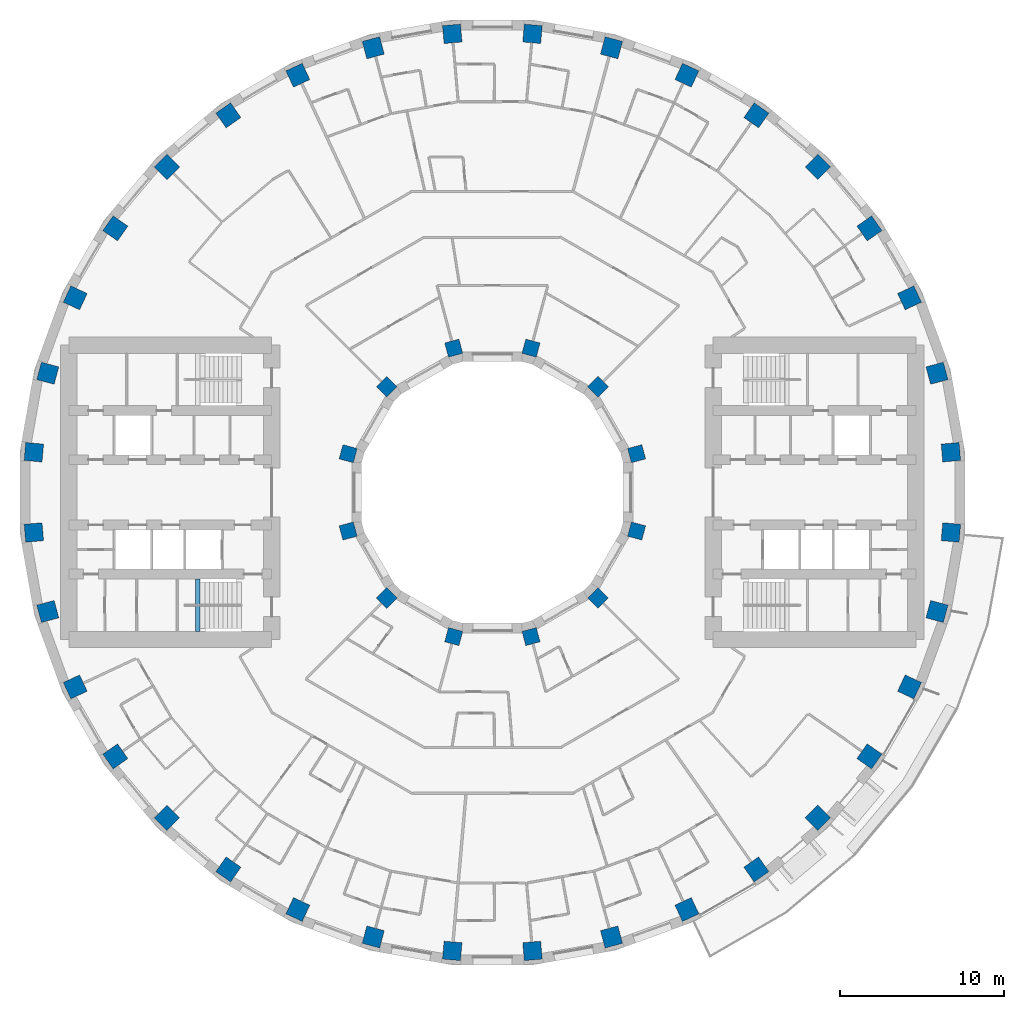
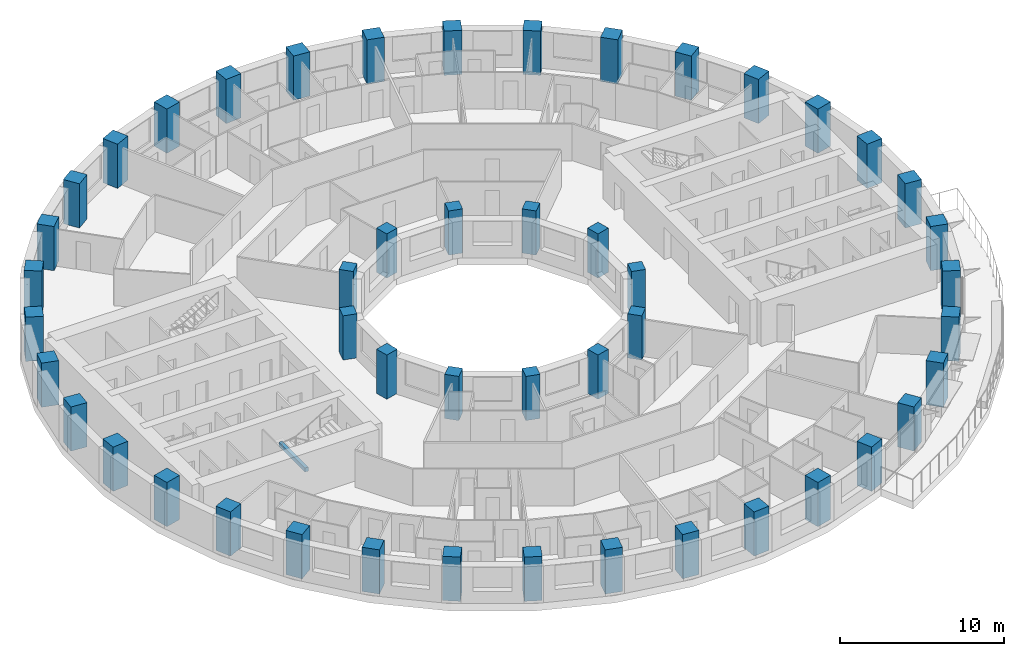
# One storey, part 1 of 15: 48 columns, 1 beam.
"""IFC4 building model written with IfcOpenShell, lengths in metres."""

from ifc_helpers import new_model, si_unit, direction, frame, origin, origin_2d, place, context, subcontext, project, spatial, rectangle, extrude, material, material_profile, profile_set, type_object, element, save


model = new_model("IFC4")

# Units and contexts
model_context = context("Model", 3, precision=1e-05, world=origin(), true_north=direction((0.0, 1.0)))
body_context = subcontext(model_context, "Body", "Model", "MODEL_VIEW")
ifc_project = project(units=[si_unit("LENGTHUNIT", "METRE"), si_unit("AREAUNIT", "SQUARE_METRE"), si_unit("VOLUMEUNIT", "CUBIC_METRE"), si_unit("PLANEANGLEUNIT", "RADIAN"), si_unit("MASSUNIT", "GRAM", prefix="KILO")], contexts=[model_context])

# Site, building, storey
site_placement = place(None, origin())
site = spatial("IfcSite", under=ifc_project, at=site_placement, CompositionType="ELEMENT")
building_placement = place(site_placement, origin())
building = spatial("IfcBuilding", under=site, at=building_placement, Name="Saqina Gate Tower", CompositionType="ELEMENT")
storey_placement = place(building_placement, frame((0.0, 0.0, 36.199951171875)))
storey = spatial("IfcBuildingStorey", under=building, at=storey_placement, Name="L09", CompositionType="ELEMENT", Elevation=36.199951171875)

# Columns
ifc_material_1 = material(Name="Concrete C70/85", Category="concrete")
ifc_material_profile_1 = material_profile(ifc_material_1, rectangle(XDim=0.89990234375, YDim=0.89990234375, at=origin_2d()), Name="RC 900x900")
ifc_profile_set_1 = profile_set([ifc_material_profile_1], Name="Concrete C70/85")
column_type_1 = type_object("IfcColumnType", Name="STR-COL-IN-A", PredefinedType="COLUMN", material=ifc_profile_set_1)
for number, where, z_axis, x_axis, name in (
    (1, (8.821044921875, 2.363525390625, 0.0), (0.0, 0.0, 1.0), (0.965925826289, 0.258819045103, 0.0), "L09-ICL01"),
    (2, (6.45751953125, 6.45751953125, 0.0), (0.0, 0.0, 1.0), (0.707106781187, 0.707106781187, 0.0), "L09-ICL02"),
    (3, (2.363525390625, 8.821044921875, 0.0), (0.0, 0.0, 1.0), (0.258819045103, 0.965925826289, 0.0), "L09-ICL03"),
    (4, (-2.363525390625, 8.821044921875, 0.0), (0.0, 0.0, 1.0), (-0.258819045103, 0.965925826289, 0.0), "L09-ICL04"),
    (5, (-6.45751953125, 6.45751953125, 0.0), (0.0, 0.0, 1.0), (-0.707106781187, 0.707106781187, 0.0), "L09-ICL05"),
    (6, (-8.821044921875, 2.363525390625, 0.0), (0.0, 0.0, 1.0), (-0.965925826289, 0.258819045103, 0.0), "L09-ICL06"),
    (7, (-8.821044921875, -2.363525390625, 0.0), (0.0, 0.0, 1.0), (-0.965925826289, -0.258819045103, 0.0), "L09-ICL07"),
    (8, (-6.45751953125, -6.45751953125, 0.0), (0.0, 0.0, 1.0), (-0.707106781187, -0.707106781187, 0.0), "L09-ICL08"),
    (9, (-2.363525390625, -8.821044921875, 0.0), (0.0, 0.0, 1.0), (-0.258819045103, -0.965925826289, 0.0), "L09-ICL09"),
    (10, (2.363525390625, -8.821044921875, 0.0), (0.0, 0.0, 1.0), (0.258819045103, -0.965925826289, 0.0), "L09-ICL10"),
    (11, (6.45751953125, -6.45751953125, 0.0), (0.0, 0.0, 1.0), (0.707106781187, -0.707106781187, 0.0), "L09-ICL11"),
    (12, (8.821044921875, -2.363525390625, 0.0), (0.0, 0.0, 1.0), (0.965925826289, -0.258819045103, 0.0), "L09-ICL12"),
):
    element("IfcColumn", number, at=place(storey_placement, frame(where, z_axis=z_axis, x_axis=x_axis)), inside=storey, type_object=column_type_1, Name=name, PredefinedType="COLUMN", context=body_context, shape_type="SweptSolid", body=[
        extrude(rectangle(XDim=0.89990234375, YDim=0.89990234375, at=origin_2d()), origin(), (0.0, 0.0, 1.0), 3.300048828125),
    ])
ifc_material_2 = material(Name="Concrete C70/85", Category="concrete")
ifc_material_profile_2 = material_profile(ifc_material_2, rectangle(XDim=1.10009765625, YDim=1.10009765625, at=origin_2d()), Name="RC 1100x1100")
ifc_profile_set_2 = profile_set([ifc_material_profile_2], Name="Concrete C70/85")
column_type_2 = type_object("IfcColumnType", Name="STR-COL-OUT-A", PredefinedType="COLUMN", material=ifc_profile_set_2)
for number, where, z_axis, x_axis, name in (
    (13, (28.04296875, 2.453369140625, 0.0), (0.0, 0.0, 1.0), (0.996194698092, 0.087155742748, 0.0), "L09-COL01"),
    (14, (27.19091796875, 7.28564453125, 0.0), (0.0, 0.0, 1.0), (0.965925826289, 0.258819045103, 0.0), "L09-COL02"),
    (15, (25.512451171875, 11.896728515625, 0.0), (0.0, 0.0, 1.0), (0.906307787037, 0.422618261741, 0.0), "L09-COL03"),
    (16, (23.05908203125, 16.146240234375, 0.0), (0.0, 0.0, 1.0), (0.819152044289, 0.573576436351, 0.0), "L09-COL04"),
    (17, (19.905029296875, 19.905029296875, 0.0), (0.0, 0.0, 1.0), (0.707106781187, 0.707106781187, 0.0), "L09-COL05"),
    (18, (16.146240234375, 23.05908203125, 0.0), (0.0, 0.0, 1.0), (0.573576436351, 0.819152044289, 0.0), "L09-COL06"),
    (19, (11.896728515625, 25.512451171875, 0.0), (0.0, 0.0, 1.0), (0.422618261741, 0.906307787037, 0.0), "L09-COL07"),
    (20, (7.28564453125, 27.19091796875, 0.0), (0.0, 0.0, 1.0), (0.258819045103, 0.965925826289, 0.0), "L09-COL08"),
    (21, (2.453369140625, 28.04296875, 0.0), (0.0, 0.0, 1.0), (0.087155742748, 0.996194698092, 0.0), "L09-COL09"),
    (22, (-2.453369140625, 28.04296875, 0.0), (0.0, 0.0, 1.0), (-0.087155742748, 0.996194698092, 0.0), "L09-COL10"),
    (23, (-7.28564453125, 27.19091796875, 0.0), (0.0, 0.0, 1.0), (-0.258819045103, 0.965925826289, 0.0), "L09-COL11"),
    (24, (-11.896728515625, 25.512451171875, 0.0), (0.0, 0.0, 1.0), (-0.422618261741, 0.906307787037, 0.0), "L09-COL12"),
    (25, (-16.146240234375, 23.05908203125, 0.0), (0.0, 0.0, 1.0), (-0.573576436351, 0.819152044289, 0.0), "L09-COL13"),
    (26, (-19.905029296875, 19.905029296875, 0.0), (0.0, 0.0, 1.0), (-0.707106781187, 0.707106781187, 0.0), "L09-COL14"),
    (27, (-23.05908203125, 16.146240234375, 0.0), (0.0, 0.0, 1.0), (-0.819152044289, 0.573576436351, 0.0), "L09-COL15"),
    (28, (-25.512451171875, 11.896728515625, 0.0), (0.0, 0.0, 1.0), (-0.906307787037, 0.422618261741, 0.0), "L09-COL16"),
    (29, (-27.19091796875, 7.28564453125, 0.0), (0.0, 0.0, 1.0), (-0.965925826289, 0.258819045103, 0.0), "L09-COL17"),
    (30, (-28.04296875, 2.453369140625, 0.0), (0.0, 0.0, 1.0), (-0.996194698092, 0.087155742748, 0.0), "L09-COL18"),
    (31, (-28.04296875, -2.453369140625, 0.0), (0.0, 0.0, 1.0), (-0.996194698092, -0.087155742748, 0.0), "L09-COL19"),
    (32, (-27.19091796875, -7.28564453125, 0.0), (0.0, 0.0, 1.0), (-0.965925826289, -0.258819045103, 0.0), "L09-COL20"),
    (33, (-25.512451171875, -11.896728515625, 0.0), (0.0, 0.0, 1.0), (-0.906307787037, -0.422618261741, 0.0), "L09-COL21"),
    (34, (-23.05908203125, -16.146240234375, 0.0), (0.0, 0.0, 1.0), (-0.819152044289, -0.573576436351, 0.0), "L09-COL22"),
    (35, (-19.905029296875, -19.905029296875, 0.0), (0.0, 0.0, 1.0), (-0.707106781187, -0.707106781187, 0.0), "L09-COL23"),
    (36, (-16.146240234375, -23.05908203125, 0.0), (0.0, 0.0, 1.0), (-0.573576436351, -0.819152044289, 0.0), "L09-COL24"),
    (37, (-11.896728515625, -25.512451171875, 0.0), (0.0, 0.0, 1.0), (-0.422618261741, -0.906307787037, 0.0), "L09-COL25"),
    (38, (-7.28564453125, -27.19091796875, 0.0), (0.0, 0.0, 1.0), (-0.258819045103, -0.965925826289, 0.0), "L09-COL26"),
    (39, (-2.453369140625, -28.04296875, 0.0), (0.0, 0.0, 1.0), (-0.087155742748, -0.996194698092, 0.0), "L09-COL27"),
    (40, (2.453369140625, -28.04296875, 0.0), (0.0, 0.0, 1.0), (0.087155742748, -0.996194698092, 0.0), "L09-COL28"),
    (41, (7.28564453125, -27.19091796875, 0.0), (0.0, 0.0, 1.0), (0.258819045103, -0.965925826289, 0.0), "L09-COL29"),
    (42, (11.896728515625, -25.512451171875, 0.0), (0.0, 0.0, 1.0), (0.422618261741, -0.906307787037, 0.0), "L09-COL30"),
    (43, (16.146240234375, -23.05908203125, 0.0), (0.0, 0.0, 1.0), (0.573576436351, -0.819152044289, 0.0), "L09-COL31"),
    (44, (19.905029296875, -19.905029296875, 0.0), (0.0, 0.0, 1.0), (0.707106781187, -0.707106781187, 0.0), "L09-COL32"),
    (45, (23.05908203125, -16.146240234375, 0.0), (0.0, 0.0, 1.0), (0.819152044289, -0.573576436351, 0.0), "L09-COL33"),
    (46, (25.512451171875, -11.896728515625, 0.0), (0.0, 0.0, 1.0), (0.906307787037, -0.422618261741, 0.0), "L09-COL34"),
    (47, (27.19091796875, -7.28564453125, 0.0), (0.0, 0.0, 1.0), (0.965925826289, -0.258819045103, 0.0), "L09-COL35"),
    (48, (28.04296875, -2.453369140625, 0.0), (0.0, 0.0, 1.0), (0.996194698092, -0.087155742748, 0.0), "L09-COL36"),
):
    element("IfcColumn", number, at=place(storey_placement, frame(where, z_axis=z_axis, x_axis=x_axis)), inside=storey, type_object=column_type_2, Name=name, PredefinedType="COLUMN", context=body_context, shape_type="SweptSolid", body=[
        extrude(rectangle(XDim=1.10009765625, YDim=1.10009765625, at=origin_2d()), origin(), (0.0, 0.0, 1.0), 3.300048828125),
    ])

# Beam
ifc_material_3 = material(Name="Concrete C40/50", Category="concrete")
ifc_material_profile_3 = material_profile(ifc_material_3, rectangle(XDim=0.25, YDim=0.300048828125, at=origin_2d()), Name="STAIR LANDING BEAM")
ifc_profile_set_3 = profile_set([ifc_material_profile_3], Name="Concrete C40/50")
beam_type = type_object("IfcBeamType", Name="STAIR LANDING BEAM", PredefinedType="BEAM", material=ifc_profile_set_3)
beam_placement = place(storey_placement, frame((-18.02001953125, -8.5, 1.25), z_axis=(0.0, 1.0, 0.0), x_axis=(-1.0, 0.0, 0.0)))
element("IfcBeam", 49, at=beam_placement, inside=storey, type_object=beam_type, Name="EXIT STAIR 4 LANDING BEAM", PredefinedType="BEAM", context=body_context, shape_type="SweptSolid", body=[
    extrude(rectangle(XDim=0.25, YDim=0.300048828125, at=origin_2d()), origin(), (0.0, 0.0, 1.0), 3.199951171875),
])

save(model, "model.ifc")
